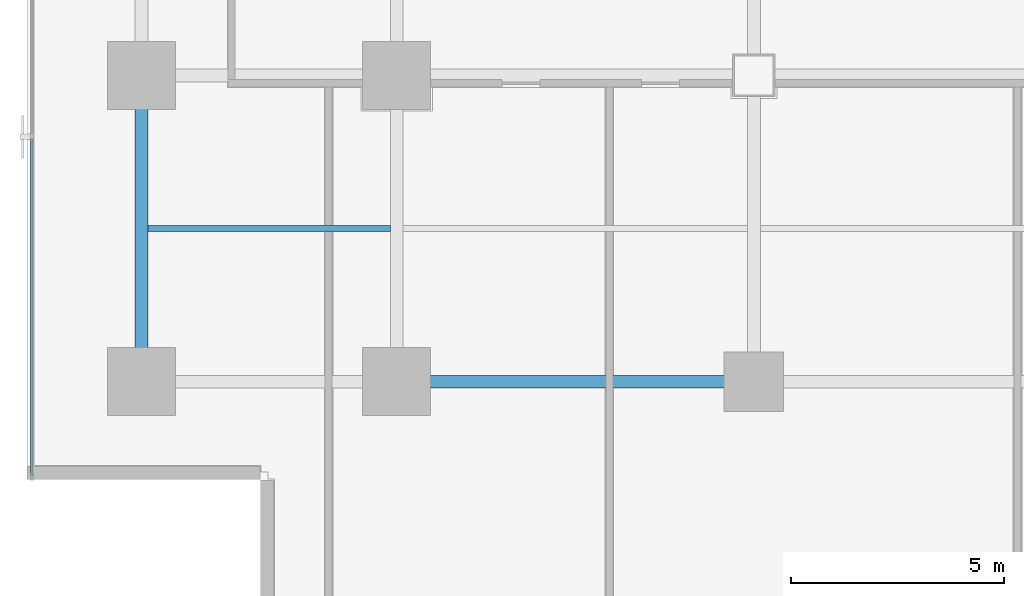
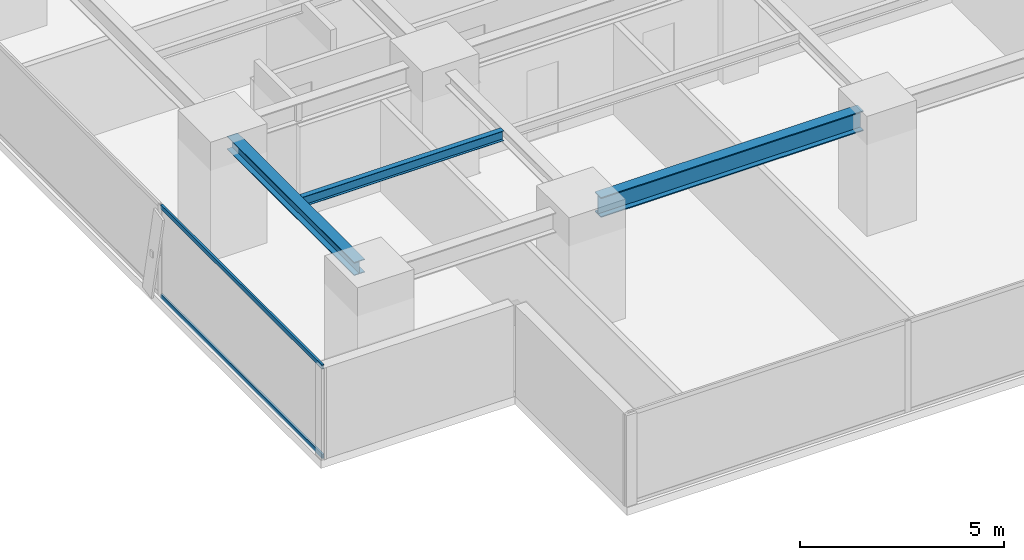
# One storey, part 3 of 35: 3 beams, 2 members, 1 element without a shape of its own.
"""IFC4 building model written with IfcOpenShell, lengths in metres."""

from ifc_helpers import new_model, si_unit, direction, frame, origin, origin_2d, place, context, subcontext, project, spatial, hollow_rectangle, i_section, extrude, source, transform, mapped, material, layer, layer_set, material_profile, profile_set, type_object, element, aggregate, save


model = new_model("IFC4")

# Units and contexts
model_context = context("Model", 3, precision=1e-05, world=origin(), true_north=direction((0.0, 1.0)))
body_context = subcontext(model_context, "Body", "Model", "MODEL_VIEW")
ifc_project = project(units=[si_unit("LENGTHUNIT", "METRE"), si_unit("AREAUNIT", "SQUARE_METRE"), si_unit("VOLUMEUNIT", "CUBIC_METRE"), si_unit("PLANEANGLEUNIT", "RADIAN"), si_unit("MASSUNIT", "GRAM", prefix="KILO")], contexts=[model_context])

# Site, building, storey
site_placement = place(None, origin())
site = spatial("IfcSite", under=ifc_project, at=site_placement, CompositionType="ELEMENT")
building_placement = place(site_placement, origin())
building = spatial("IfcBuilding", under=site, at=building_placement, Name="Sumidabori Civic Tower", CompositionType="ELEMENT")
storey_placement = place(building_placement, frame((0.0, 0.0, 102.800048828125)))
storey = spatial("IfcBuildingStorey", under=building, at=storey_placement, Name="L26", CompositionType="ELEMENT", Elevation=102.800048828125)

# Beams
ifc_material_1 = material(Name="Steel SN490", Category="steel")
ifc_material_profile_1 = material_profile(ifc_material_1, i_section(OverallWidth=0.300048828125, OverallDepth=0.60009765625, WebThickness=0.015380859375, FlangeThickness=0.030029296875, at=origin_2d()), Name="HE 600 B")
ifc_profile_set_1 = profile_set([ifc_material_profile_1], Name="Steel SN490")
beam_type_1 = type_object("IfcBeamType", Name="BM-GIRD-600", PredefinedType="BEAM", material=ifc_profile_set_1)
shared_shape_1 = source(origin(), body_context, "Body", "SweptSolid", [
    extrude(i_section(OverallWidth=0.300048828125, OverallDepth=0.60009765625, WebThickness=0.015380859375, FlangeThickness=0.030029296875, at=origin_2d()), origin(), (0.0, 0.0, 1.0), 7.440185546875),
])
beam_1_placement = place(storey_placement, frame((-16.320068359375, -18.0, 3.06005859375), z_axis=(1.0, 0.0, 0.0), x_axis=(0.0, 1.0, 0.0)))
element("IfcBeam", 1, at=beam_1_placement, inside=storey, type_object=beam_type_1, Name="Primary Girder L26 GX-02", PredefinedType="BEAM", context=body_context, shape_type="MappedRepresentation", body=[
    mapped(shared_shape_1, transform((0.0, 0.0, 0.0), x_axis=(1.0, 0.0, 0.0), y_axis=(0.0, 1.0, 0.0), z_axis=(0.0, 0.0, 1.0), scale=1.0)),
])
ifc_material_profile_2 = material_profile(ifc_material_1, i_section(OverallWidth=0.300048828125, OverallDepth=0.39990234375, WebThickness=0.013427734375, FlangeThickness=0.02392578125, at=origin_2d()), Name="HE 400 B")
ifc_profile_set_2 = profile_set([ifc_material_profile_2], Name="Steel SN490")
beam_type_2 = type_object("IfcBeamType", Name="BM-GIRD-400", PredefinedType="BEAM", material=ifc_profile_set_2)
shared_shape_2 = source(origin(), body_context, "Body", "SweptSolid", [
    extrude(i_section(OverallWidth=0.300048828125, OverallDepth=0.39990234375, WebThickness=0.013427734375, FlangeThickness=0.02392578125, at=origin_2d()), origin(), (0.0, 0.0, 1.0), 6.239990234375),
])
beam_2_placement = place(storey_placement, frame((-22.800048828125, -17.52001953125, 3.159912109375), z_axis=(0.0, 1.0, 0.0), x_axis=(-1.0, 0.0, 0.0)))
element("IfcBeam", 2, at=beam_2_placement, inside=storey, type_object=beam_type_2, Name="Primary Girder L26 GY-21", PredefinedType="BEAM", context=body_context, shape_type="MappedRepresentation", body=[
    mapped(shared_shape_2, transform((0.0, 0.0, 0.0), x_axis=(1.0, 0.0, 0.0), y_axis=(0.0, 1.0, 0.0), z_axis=(0.0, 0.0, 1.0), scale=1.0)),
])
ifc_material_profile_3 = material_profile(ifc_material_1, i_section(OverallWidth=0.14990234375, OverallDepth=0.300048828125, WebThickness=0.007080078125, FlangeThickness=0.0107421875, at=origin_2d()), Name="IPE 300")
ifc_profile_set_3 = profile_set([ifc_material_profile_3], Name="Steel SN490")
beam_type_3 = type_object("IfcBeamType", Name="BM-JST-300", PredefinedType="JOIST", material=ifc_profile_set_3)
shared_shape_3 = source(origin(), body_context, "Body", "SweptSolid", [
    extrude(i_section(OverallWidth=0.14990234375, OverallDepth=0.300048828125, WebThickness=0.007080078125, FlangeThickness=0.0107421875, at=origin_2d()), origin(), (0.0, 0.0, 1.0), 5.699951171875),
])
beam_3_placement = place(storey_placement, frame((-22.64990234375, -14.39990234375, 3.2099609375), z_axis=(1.0, 0.0, 0.0), x_axis=(0.0, 1.0, 0.0)))
element("IfcBeam", 3, at=beam_3_placement, inside=storey, type_object=beam_type_3, Name="Outer Bay Floor Joist L26 JSTO-51", PredefinedType="JOIST", context=body_context, shape_type="MappedRepresentation", body=[
    mapped(shared_shape_3, transform((0.0, 0.0, 0.0), x_axis=(1.0, 0.0, 0.0), y_axis=(0.0, 1.0, 0.0), z_axis=(0.0, 0.0, 1.0), scale=1.0)),
])

# Curtain wall, members
ifc_material_2 = material(Name="Anodised Bronze Aluminium AW-6063-T6", Category="aluminium")
ifc_layer = layer(ifc_material_2, 0.179931640625, Name="Anodised Bronze Aluminium AW-6063-T6")
ifc_layer_set = layer_set([ifc_layer], Name="Anodised Bronze Aluminium AW-6063-T6")
curtain_wall_type = type_object("IfcCurtainWallType", Name="CW-SYS-3", PredefinedType="NOTDEFINED", material=ifc_layer_set)
curtain_wall_placement = place(storey_placement, origin())
curtain_wall = element("IfcCurtainWall", 4, at=curtain_wall_placement, inside=storey, type_object=curtain_wall_type, Name="Curtain Wall CW:L26:R10", PredefinedType="NOTDEFINED")
ifc_material_profile_4 = material_profile(ifc_material_2, hollow_rectangle(XDim=0.06005859375, YDim=0.1298828125, WallThickness=0.0048828125, at=origin_2d()), Name="ALU TRANSOM 130x60")
ifc_profile_set_4 = profile_set([ifc_material_profile_4], Name="Anodised Bronze Aluminium AW-6063-T6")
member_type = type_object("IfcMemberType", Name="CW-TRN-130", PredefinedType="USERDEFINED", material=ifc_profile_set_4)
shared_shape_4 = source(origin(), body_context, "Body", "SweptSolid", [
    extrude(hollow_rectangle(XDim=0.06005859375, YDim=0.1298828125, WallThickness=0.0048828125, at=origin_2d()), origin(), (0.0, 0.0, 1.0), 7.9306640625),
])
member_1_placement = place(storey_placement, frame((-25.3798828125, -12.2744140625, 0.030029296875), z_axis=(0.0, -1.0, 0.0), x_axis=(1.0, 0.0, 0.0)))
member_1 = element("IfcMember", 5, at=member_1_placement, type_object=member_type, Name="CW-3 transom 5.1", ObjectType="TRANSOM", PredefinedType="USERDEFINED", context=body_context, shape_type="MappedRepresentation", body=[
    mapped(shared_shape_4, transform((0.0, 0.0, 0.0), x_axis=(1.0, 0.0, 0.0), y_axis=(0.0, 1.0, 0.0), z_axis=(0.0, 0.0, 1.0), scale=1.0)),
])
member_2_placement = place(storey_placement, frame((-25.3798828125, -12.2744140625, 2.7099609375), z_axis=(0.0, -1.0, 0.0), x_axis=(1.0, 0.0, 0.0)))
member_2 = element("IfcMember", 6, at=member_2_placement, type_object=member_type, Name="CW-3 transom 5.2", ObjectType="TRANSOM", PredefinedType="USERDEFINED", context=body_context, shape_type="MappedRepresentation", body=[
    mapped(shared_shape_4, transform((0.0, 0.0, 0.0), x_axis=(1.0, 0.0, 0.0), y_axis=(0.0, 1.0, 0.0), z_axis=(0.0, 0.0, 1.0), scale=1.0)),
])
aggregate(curtain_wall, [member_1, member_2])

save(model, "model.ifc")
